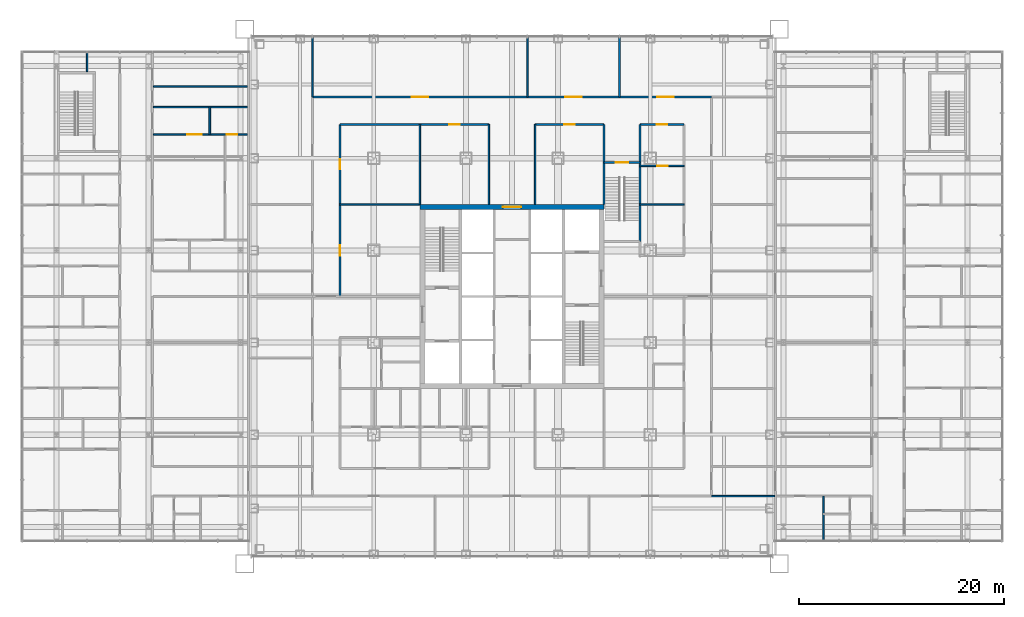
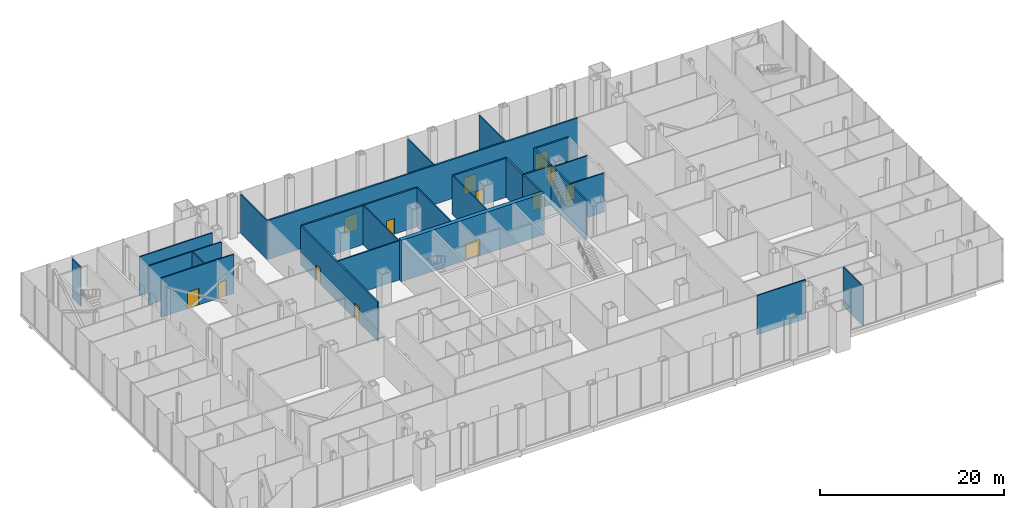
# One storey, part 16 of 25: 27 walls, 13 doors, 13 openings.
"""IFC4 building model written with IfcOpenShell, lengths in metres."""

from ifc_helpers import new_model, si_unit, direction, frame, frame_2d, origin, place, context, subcontext, project, spatial, rectangle, extrude, material, layer, layer_set, type_object, element, fill, save


model = new_model("IFC4")

# Units and contexts
model_context = context("Model", 3, precision=1e-05, world=origin(), true_north=direction((0.0, 1.0)))
body_context = subcontext(model_context, "Body", "Model", "MODEL_VIEW")
ifc_project = project(units=[si_unit("LENGTHUNIT", "METRE"), si_unit("AREAUNIT", "SQUARE_METRE"), si_unit("VOLUMEUNIT", "CUBIC_METRE"), si_unit("PLANEANGLEUNIT", "RADIAN"), si_unit("MASSUNIT", "GRAM", prefix="KILO")], contexts=[model_context])

# Site, building, storey
site_placement = place(None, origin())
site = spatial("IfcSite", under=ifc_project, at=site_placement, CompositionType="ELEMENT")
building_placement = place(site_placement, origin())
building = spatial("IfcBuilding", under=site, at=building_placement, Name="Malebo Sky Hospital", CompositionType="ELEMENT")
storey_placement = place(building_placement, frame((0.0, 0.0, 11.0)))
storey = spatial("IfcBuildingStorey", under=building, at=storey_placement, Name="L02", CompositionType="ELEMENT", Elevation=11.0)

# Wall, opening, door
ifc_material_1 = material(Name="Concrete C80/95", Category="concrete")
ifc_layer_1 = layer(ifc_material_1, 0.5)
ifc_layer_set_1 = layer_set([ifc_layer_1], Name="CORE WALL 500")
wall_type_1 = type_object("IfcWallType", Name="CORE WALL 500", PredefinedType="SHEAR", material=ifc_layer_set_1)
wall_1_placement = place(storey_placement, frame((51.0, 70.75, 0.0), z_axis=(0.0, 0.0, 1.0), x_axis=(1.0, 0.0, 0.0)))
wall_1 = element("IfcWall", 1, at=wall_1_placement, inside=storey, type_object=wall_type_1, Name="Core wall N L02", PredefinedType="SHEAR", context=body_context, shape_type="SweptSolid", body=[
    extrude(rectangle(XDim=18.0, YDim=0.5, at=frame_2d((9.0, 0.0))), origin(), (0.0, 0.0, 1.0), 5.5),
])
opening_1_placement = place(wall_1_placement, frame((8.10009765625, 0.0, 0.0)))
opening_1 = element("IfcOpeningElement", 2, at=opening_1_placement, cuts=wall_1, Name="Opening D06", PredefinedType="OPENING", context=body_context, shape_type="SweptSolid", body=[
    extrude(rectangle(XDim=1.800048828125, YDim=2.199951171875, at=frame_2d((0.89990234375, 1.10009765625))), frame((0.0, 0.260009765625, 0.0), z_axis=(0.0, -1.0, 0.0), x_axis=(1.0, 0.0, 0.0)), (0.0, 0.0, 1.0), 0.52001953125),
])
ifc_material_2 = material(Name="Hardwood-faced door leaf in steel frame", Category="steel")
door_type_1 = type_object("IfcDoorType", Name="LOBBY DOOR PAIR 1800", OperationType="DOUBLE_DOOR_SINGLE_SWING", PredefinedType="DOOR", material=ifc_material_2)
door_1_placement = place(opening_1_placement, origin())
door_1 = element("IfcDoor", 3, at=door_1_placement, inside=storey, type_object=door_type_1, Name="vending room door north", OperationType="DOUBLE_DOOR_SINGLE_SWING", OverallHeight=2.199951171875, OverallWidth=1.800048828125, PredefinedType="DOOR", context=body_context, shape_type="SweptSolid", body=[
    extrude(rectangle(XDim=1.800048828125, YDim=2.199951171875, at=frame_2d((0.89990234375, 1.10009765625))), frame((0.0, 0.02490234375, 0.0), z_axis=(0.0, -1.0, 0.0), x_axis=(1.0, 0.0, 0.0)), (0.0, 0.0, 1.0), 0.050048828125),
])
fill(opening_1, door_1)

# Wall, openings, doors
ifc_material_3 = material(Name="Gypsum board on steel studs", Category="steel")
ifc_layer_2 = layer(ifc_material_3, 0.199951171875)
ifc_layer_set_2 = layer_set([ifc_layer_2], Name="CORRIDOR WALL 200")
wall_type_2 = type_object("IfcWallType", Name="CORRIDOR WALL 200", PredefinedType="PARTITIONING", material=ifc_layer_set_2)
wall_2_placement = place(storey_placement, frame((40.5, 81.5, 0.0), z_axis=(0.0, 0.0, 1.0), x_axis=(1.0, 0.0, 0.0)))
wall_2 = element("IfcWall", 4, at=wall_2_placement, inside=storey, type_object=wall_type_2, Name="Corridor Wall 200 NCO", PredefinedType="PARTITIONING", context=body_context, shape_type="SweptSolid", body=[
    extrude(rectangle(XDim=39.0, YDim=0.199951171875, at=frame_2d((19.5, 0.0))), origin(), (0.0, 0.0, 1.0), 5.199951171875),
])
opening_2_placement = place(wall_2_placement, frame((9.699951171875, 0.0, 0.0)))
opening_2 = element("IfcOpeningElement", 5, at=opening_2_placement, cuts=wall_2, Name="Opening D14", PredefinedType="OPENING", context=body_context, shape_type="SweptSolid", body=[
    extrude(rectangle(XDim=1.60009765625, YDim=2.199951171875, at=frame_2d((0.800048828125, 1.10009765625))), frame((0.0, 0.10986328125, 0.0), z_axis=(0.0, -1.0, 0.0), x_axis=(1.0, 0.0, 0.0)), (0.0, 0.0, 1.0), 0.219970703125),
])
opening_3_placement = place(wall_2_placement, frame((24.699951171875, 0.0, 0.0)))
opening_3 = element("IfcOpeningElement", 6, at=opening_3_placement, cuts=wall_2, Name="Opening D14", PredefinedType="OPENING", context=body_context, shape_type="SweptSolid", body=[
    extrude(rectangle(XDim=1.60009765625, YDim=2.199951171875, at=frame_2d((0.800048828125, 1.10009765625))), frame((0.0, 0.10986328125, 0.0), z_axis=(0.0, -1.0, 0.0), x_axis=(1.0, 0.0, 0.0)), (0.0, 0.0, 1.0), 0.219970703125),
])
opening_4_placement = place(wall_2_placement, frame((33.699951171875, 0.0, 0.0)))
opening_4 = element("IfcOpeningElement", 7, at=opening_4_placement, cuts=wall_2, Name="Opening D14", PredefinedType="OPENING", context=body_context, shape_type="SweptSolid", body=[
    extrude(rectangle(XDim=1.60009765625, YDim=2.199951171875, at=frame_2d((0.800048828125, 1.10009765625))), frame((0.0, 0.10986328125, 0.0), z_axis=(0.0, -1.0, 0.0), x_axis=(1.0, 0.0, 0.0)), (0.0, 0.0, 1.0), 0.219970703125),
])
door_type_2 = type_object("IfcDoorType", Name="DEPARTMENT DOOR PAIR 1600", OperationType="DOUBLE_DOOR_DOUBLE_SWING", PredefinedType="DOOR", material=ifc_material_2)
door_2_placement = place(opening_2_placement, origin())
door_2 = element("IfcDoor", 8, at=door_2_placement, inside=storey, type_object=door_type_2, Name="Post-anaesthesia recovery ward door", OperationType="DOUBLE_DOOR_DOUBLE_SWING", OverallHeight=2.199951171875, OverallWidth=1.60009765625, PredefinedType="DOOR", context=body_context, shape_type="SweptSolid", body=[
    extrude(rectangle(XDim=1.60009765625, YDim=2.199951171875, at=frame_2d((0.800048828125, 1.10009765625))), frame((0.0, 0.02490234375, 0.0), z_axis=(0.0, -1.0, 0.0), x_axis=(1.0, 0.0, 0.0)), (0.0, 0.0, 1.0), 0.050048828125),
])
fill(opening_2, door_2)
door_3_placement = place(opening_3_placement, origin())
door_3 = element("IfcDoor", 9, at=door_3_placement, inside=storey, type_object=door_type_2, Name="Second-stage recovery ward door", OperationType="DOUBLE_DOOR_DOUBLE_SWING", OverallHeight=2.199951171875, OverallWidth=1.60009765625, PredefinedType="DOOR", context=body_context, shape_type="SweptSolid", body=[
    extrude(rectangle(XDim=1.60009765625, YDim=2.199951171875, at=frame_2d((0.800048828125, 1.10009765625))), frame((0.0, 0.02490234375, 0.0), z_axis=(0.0, -1.0, 0.0), x_axis=(1.0, 0.0, 0.0)), (0.0, 0.0, 1.0), 0.050048828125),
])
fill(opening_3, door_3)
door_4_placement = place(opening_4_placement, origin())
door_4 = element("IfcDoor", 10, at=door_4_placement, inside=storey, type_object=door_type_2, Name="Theatre sterile supply store door", OperationType="DOUBLE_DOOR_DOUBLE_SWING", OverallHeight=2.199951171875, OverallWidth=1.60009765625, PredefinedType="DOOR", context=body_context, shape_type="SweptSolid", body=[
    extrude(rectangle(XDim=1.60009765625, YDim=2.199951171875, at=frame_2d((0.800048828125, 1.10009765625))), frame((0.0, 0.02490234375, 0.0), z_axis=(0.0, -1.0, 0.0), x_axis=(1.0, 0.0, 0.0)), (0.0, 0.0, 1.0), 0.050048828125),
])
fill(opening_4, door_4)

# Wall, opening, door
wall_3_placement = place(storey_placement, frame((43.199951171875, 78.800048828125, 0.0), z_axis=(0.0, 0.0, 1.0), x_axis=(1.0, 0.0, 0.0)))
wall_3 = element("IfcWall", 11, at=wall_3_placement, inside=storey, type_object=wall_type_2, Name="Corridor Wall 200 NCI1", PredefinedType="PARTITIONING", context=body_context, shape_type="SweptSolid", body=[
    extrude(rectangle(XDim=14.550048828125, YDim=0.199951171875, at=frame_2d((7.27490234375, 0.0))), origin(), (0.0, 0.0, 1.0), 5.199951171875),
])
opening_5_placement = place(wall_3_placement, frame((10.675048828125, 0.0, 0.0)))
opening_5 = element("IfcOpeningElement", 12, at=opening_5_placement, cuts=wall_3, Name="Opening D03", PredefinedType="OPENING", context=body_context, shape_type="SweptSolid", body=[
    extrude(rectangle(XDim=1.0, YDim=2.10009765625, at=frame_2d((0.5, 1.050048828125))), frame((0.0, 0.10986328125, 0.0), z_axis=(0.0, -1.0, 0.0), x_axis=(1.0, 0.0, 0.0)), (0.0, 0.0, 1.0), 0.219970703125),
])
door_type_3 = type_object("IfcDoorType", Name="ROOM DOOR 1000", OperationType="SINGLE_SWING_LEFT", PredefinedType="DOOR", material=ifc_material_2)
door_5_placement = place(opening_5_placement, origin())
door_5 = element("IfcDoor", 13, at=door_5_placement, inside=storey, type_object=door_type_3, Name="Recovery staff base door", OperationType="SINGLE_SWING_LEFT", OverallHeight=2.10009765625, OverallWidth=1.0, PredefinedType="DOOR", context=body_context, shape_type="SweptSolid", body=[
    extrude(rectangle(XDim=1.0, YDim=2.10009765625, at=frame_2d((0.5, 1.050048828125))), frame((0.0, 0.02490234375, 0.0), z_axis=(0.0, -1.0, 0.0), x_axis=(1.0, 0.0, 0.0)), (0.0, 0.0, 1.0), 0.050048828125),
])
fill(opening_5, door_5)

wall_4_placement = place(storey_placement, frame((62.25, 78.800048828125, 0.0), z_axis=(0.0, 0.0, 1.0), x_axis=(1.0, 0.0, 0.0)))
wall_4 = element("IfcWall", 14, at=wall_4_placement, inside=storey, type_object=wall_type_2, Name="Corridor Wall 200 NCI2", PredefinedType="PARTITIONING", context=body_context, shape_type="SweptSolid", body=[
    extrude(rectangle(XDim=6.75, YDim=0.199951171875, at=frame_2d((3.375, 0.0))), origin(), (0.0, 0.0, 1.0), 5.199951171875),
])
opening_6_placement = place(wall_4_placement, frame((2.875, 0.0, 0.0)))
opening_6 = element("IfcOpeningElement", 15, at=opening_6_placement, cuts=wall_4, Name="Opening D03", PredefinedType="OPENING", context=body_context, shape_type="SweptSolid", body=[
    extrude(rectangle(XDim=1.0, YDim=2.10009765625, at=frame_2d((0.5, 1.050048828125))), frame((0.0, 0.10986328125, 0.0), z_axis=(0.0, -1.0, 0.0), x_axis=(1.0, 0.0, 0.0)), (0.0, 0.0, 1.0), 0.219970703125),
])
door_6_placement = place(opening_6_placement, origin())
door_6 = element("IfcDoor", 16, at=door_6_placement, inside=storey, type_object=door_type_3, Name="Sterile supply store door", OperationType="SINGLE_SWING_RIGHT", OverallHeight=2.10009765625, OverallWidth=1.0, PredefinedType="DOOR", context=body_context, shape_type="SweptSolid", body=[
    extrude(rectangle(XDim=1.0, YDim=2.10009765625, at=frame_2d((0.5, 1.050048828125))), frame((0.0, 0.02490234375, 0.0), z_axis=(0.0, -1.0, 0.0), x_axis=(1.0, 0.0, 0.0)), (0.0, 0.0, 1.0), 0.050048828125),
])
fill(opening_6, door_6)

wall_5_placement = place(storey_placement, frame((72.5, 78.800048828125, 0.0), z_axis=(0.0, 0.0, 1.0), x_axis=(1.0, 0.0, 0.0)))
wall_5 = element("IfcWall", 17, at=wall_5_placement, inside=storey, type_object=wall_type_2, Name="Corridor Wall 200 NCI2/2", PredefinedType="PARTITIONING", context=body_context, shape_type="SweptSolid", body=[
    extrude(rectangle(XDim=4.300048828125, YDim=0.199951171875, at=frame_2d((2.14990234375, 0.0))), origin(), (0.0, 0.0, 1.0), 5.199951171875),
])
opening_7_placement = place(wall_5_placement, frame((1.64990234375, 0.0, 0.0)))
opening_7 = element("IfcOpeningElement", 18, at=opening_7_placement, cuts=wall_5, Name="Opening D03", PredefinedType="OPENING", context=body_context, shape_type="SweptSolid", body=[
    extrude(rectangle(XDim=1.0, YDim=2.10009765625, at=frame_2d((0.5, 1.050048828125))), frame((0.0, 0.10986328125, 0.0), z_axis=(0.0, -1.0, 0.0), x_axis=(1.0, 0.0, 0.0)), (0.0, 0.0, 1.0), 0.219970703125),
])
door_7_placement = place(opening_7_placement, origin())
door_7 = element("IfcDoor", 19, at=door_7_placement, inside=storey, type_object=door_type_3, Name="Patient WC vestibule door", OperationType="SINGLE_SWING_LEFT", OverallHeight=2.10009765625, OverallWidth=1.0, PredefinedType="DOOR", context=body_context, shape_type="SweptSolid", body=[
    extrude(rectangle(XDim=1.0, YDim=2.10009765625, at=frame_2d((0.5, 1.050048828125))), frame((0.0, 0.02490234375, 0.0), z_axis=(0.0, -1.0, 0.0), x_axis=(1.0, 0.0, 0.0)), (0.0, 0.0, 1.0), 0.050048828125),
])
fill(opening_7, door_7)

# Wall, openings, doors
wall_6_placement = place(storey_placement, frame((43.199951171875, 62.0, 0.0), z_axis=(0.0, 0.0, 1.0), x_axis=(0.0, 1.0, 0.0)))
wall_6 = element("IfcWall", 20, at=wall_6_placement, inside=storey, type_object=wall_type_2, Name="Corridor Wall 200 WCI2", PredefinedType="PARTITIONING", context=body_context, shape_type="SweptSolid", body=[
    extrude(rectangle(XDim=16.800048828125, YDim=0.199951171875, at=frame_2d((8.39990234375, 0.0))), origin(), (0.0, 0.0, 1.0), 5.199951171875),
])
opening_8_placement = place(wall_6_placement, frame((4.0, 0.0, 0.0)))
opening_8 = element("IfcOpeningElement", 21, at=opening_8_placement, cuts=wall_6, Name="Opening D03", PredefinedType="OPENING", context=body_context, shape_type="SweptSolid", body=[
    extrude(rectangle(XDim=1.0, YDim=2.10009765625, at=frame_2d((0.5, 1.050048828125))), frame((0.0, 0.10986328125, 0.0), z_axis=(0.0, -1.0, 0.0), x_axis=(1.0, 0.0, 0.0)), (0.0, 0.0, 1.0), 0.219970703125),
])
opening_9_placement = place(wall_6_placement, frame((12.39990234375, 0.0, 0.0)))
opening_9 = element("IfcOpeningElement", 22, at=opening_9_placement, cuts=wall_6, Name="Opening D03", PredefinedType="OPENING", context=body_context, shape_type="SweptSolid", body=[
    extrude(rectangle(XDim=1.0, YDim=2.10009765625, at=frame_2d((0.5, 1.050048828125))), frame((0.0, 0.10986328125, 0.0), z_axis=(0.0, -1.0, 0.0), x_axis=(1.0, 0.0, 0.0)), (0.0, 0.0, 1.0), 0.219970703125),
])
door_8_placement = place(opening_8_placement, origin())
door_8 = element("IfcDoor", 23, at=door_8_placement, inside=storey, type_object=door_type_3, Name="Theatre store door", OperationType="SINGLE_SWING_LEFT", OverallHeight=2.10009765625, OverallWidth=1.0, PredefinedType="DOOR", context=body_context, shape_type="SweptSolid", body=[
    extrude(rectangle(XDim=1.0, YDim=2.10009765625, at=frame_2d((0.5, 1.050048828125))), frame((0.0, 0.02490234375, 0.0), z_axis=(0.0, -1.0, 0.0), x_axis=(1.0, 0.0, 0.0)), (0.0, 0.0, 1.0), 0.050048828125),
])
fill(opening_8, door_8)
door_9_placement = place(opening_9_placement, origin())
door_9 = element("IfcDoor", 24, at=door_9_placement, inside=storey, type_object=door_type_3, Name="Medication room door", OperationType="SINGLE_SWING_RIGHT", OverallHeight=2.10009765625, OverallWidth=1.0, PredefinedType="DOOR", context=body_context, shape_type="SweptSolid", body=[
    extrude(rectangle(XDim=1.0, YDim=2.10009765625, at=frame_2d((0.5, 1.050048828125))), frame((0.0, 0.02490234375, 0.0), z_axis=(0.0, -1.0, 0.0), x_axis=(1.0, 0.0, 0.0)), (0.0, 0.0, 1.0), 0.050048828125),
])
fill(opening_9, door_9)

# Walls
for number, where, z_axis, x_axis, name in (
    (25, (69.0, 75.10009765625, 0.0), (0.0, 0.0, 1.0), (0.0, 1.0, 0.0), "Corridor Wall 200 ST3AW"),
    (26, (72.5, 75.10009765625, 0.0), (0.0, 0.0, 1.0), (0.0, 1.0, 0.0), "Corridor Wall 200 ST3AE"),
):
    element("IfcWall", number, at=place(storey_placement, frame(where, z_axis=z_axis, x_axis=x_axis)), inside=storey, type_object=wall_type_2, Name=name, PredefinedType="PARTITIONING", context=body_context, shape_type="SweptSolid", body=[
        extrude(rectangle(XDim=3.699951171875, YDim=0.199951171875, at=frame_2d((1.85009765625, 0.0))), origin(), (0.0, 0.0, 1.0), 5.199951171875),
    ])
ifc_layer_3 = layer(ifc_material_3, 0.14990234375)
ifc_layer_set_3 = layer_set([ifc_layer_3], Name="PARTITION 150")
wall_type_3 = type_object("IfcWallType", Name="PARTITION 150", PredefinedType="PARTITIONING", material=ifc_layer_set_3)
for number, where, z_axis, x_axis, name in (
    (27, (40.5, 81.5, 0.0), (0.0, 0.0, 1.0), (0.0, 1.0, 0.0), "Partition 150 NP-19.5"),
    (28, (61.5, 81.5, 0.0), (0.0, 0.0, 1.0), (0.0, 1.0, 0.0), "Partition 150 NP+1.5"),
    (29, (70.5, 81.5, 0.0), (0.0, 0.0, 1.0), (0.0, 1.0, 0.0), "Partition 150 NP+10.5"),
):
    element("IfcWall", number, at=place(storey_placement, frame(where, z_axis=z_axis, x_axis=x_axis)), inside=storey, type_object=wall_type_3, Name=name, PredefinedType="PARTITIONING", context=body_context, shape_type="SweptSolid", body=[
        extrude(rectangle(XDim=5.75, YDim=0.14990234375, at=frame_2d((2.875, 0.0))), origin(), (0.0, 0.0, 1.0), 5.199951171875),
    ])
for number, where, z_axis, x_axis, name in (
    (30, (51.0, 71.0, 0.0), (0.0, 0.0, 1.0), (0.0, 1.0, 0.0), "Partition 150 NSPM"),
    (31, (57.75, 71.0, 0.0), (0.0, 0.0, 1.0), (0.0, 1.0, 0.0), "Partition 150 NSPA"),
    (32, (62.25, 71.0, 0.0), (0.0, 0.0, 1.0), (0.0, 1.0, 0.0), "Partition 150 NSPB"),
):
    element("IfcWall", number, at=place(storey_placement, frame(where, z_axis=z_axis, x_axis=x_axis)), inside=storey, type_object=wall_type_3, Name=name, PredefinedType="PARTITIONING", context=body_context, shape_type="SweptSolid", body=[
        extrude(rectangle(XDim=7.800048828125, YDim=0.14990234375, at=frame_2d((3.89990234375, 0.0))), origin(), (0.0, 0.0, 1.0), 5.199951171875),
    ])

# Wall, opening, door
wall_7_placement = place(storey_placement, frame((72.5, 74.75, 0.0), z_axis=(0.0, 0.0, 1.0), x_axis=(1.0, 0.0, 0.0)))
wall_7 = element("IfcWall", 33, at=wall_7_placement, inside=storey, type_object=wall_type_3, Name="Partition 150 NS2F", PredefinedType="PARTITIONING", context=body_context, shape_type="SweptSolid", body=[
    extrude(rectangle(XDim=4.300048828125, YDim=0.14990234375, at=frame_2d((2.14990234375, 0.0))), origin(), (0.0, 0.0, 1.0), 5.199951171875),
])
opening_10_placement = place(wall_7_placement, frame((1.699951171875, 0.0, 0.0)))
opening_10 = element("IfcOpeningElement", 34, at=opening_10_placement, cuts=wall_7, Name="Opening D03", PredefinedType="OPENING", context=body_context, shape_type="SweptSolid", body=[
    extrude(rectangle(XDim=1.0, YDim=2.10009765625, at=frame_2d((0.5, 1.050048828125))), frame((0.0, 0.0849609375, 0.0), z_axis=(0.0, -1.0, 0.0), x_axis=(1.0, 0.0, 0.0)), (0.0, 0.0, 1.0), 0.169921875),
])
door_10_placement = place(opening_10_placement, origin())
door_10 = element("IfcDoor", 35, at=door_10_placement, inside=storey, type_object=door_type_3, Name="Accessible WC door", OperationType="SINGLE_SWING_RIGHT", OverallHeight=2.10009765625, OverallWidth=1.0, PredefinedType="DOOR", context=body_context, shape_type="SweptSolid", body=[
    extrude(rectangle(XDim=1.0, YDim=2.10009765625, at=frame_2d((0.5, 1.050048828125))), frame((0.0, 0.02490234375, 0.0), z_axis=(0.0, -1.0, 0.0), x_axis=(1.0, 0.0, 0.0)), (0.0, 0.0, 1.0), 0.050048828125),
])
fill(opening_10, door_10)

# Walls
wall_8_placement = place(storey_placement, frame((51.0, 71.0, 0.0), z_axis=(0.0, 0.0, 1.0), x_axis=(-1.0, 0.0, 0.0)))
element("IfcWall", 36, at=wall_8_placement, inside=storey, type_object=wall_type_3, Name="Partition 150 WSP9", PredefinedType="PARTITIONING", context=body_context, shape_type="SweptSolid", body=[
    extrude(rectangle(XDim=7.800048828125, YDim=0.14990234375, at=frame_2d((3.89990234375, 0.0))), origin(), (0.0, 0.0, 1.0), 5.199951171875),
])
wall_9_placement = place(storey_placement, frame((79.5, 42.5, 0.0), z_axis=(0.0, 0.0, 1.0), x_axis=(1.0, 0.0, 0.0)))
element("IfcWall", 37, at=wall_9_placement, inside=storey, type_object=wall_type_3, Name="Partition 150 EP+19.5", PredefinedType="PARTITIONING", context=body_context, shape_type="SweptSolid", body=[
    extrude(rectangle(XDim=6.14990234375, YDim=0.14990234375, at=frame_2d((3.074951171875, 0.0))), origin(), (0.0, 0.0, 1.0), 5.199951171875),
])
wall_10_placement = place(storey_placement, frame((72.5, 71.0, 0.0), z_axis=(0.0, 0.0, 1.0), x_axis=(1.0, 0.0, 0.0)))
element("IfcWall", 38, at=wall_10_placement, inside=storey, type_object=wall_type_3, Name="Partition 150 ESPM", PredefinedType="PARTITIONING", context=body_context, shape_type="SweptSolid", body=[
    extrude(rectangle(XDim=4.300048828125, YDim=0.14990234375, at=frame_2d((2.14990234375, 0.0))), origin(), (0.0, 0.0, 1.0), 5.199951171875),
])
wall_11_placement = place(storey_placement, frame((18.50390625, 83.949951171875, 0.0), z_axis=(0.0, 0.0, 1.0), x_axis=(0.0, 1.0, 0.0)))
element("IfcWall", 39, at=wall_11_placement, inside=storey, type_object=wall_type_3, Name="Partition 150 WLW", PredefinedType="PARTITIONING", context=body_context, shape_type="SweptSolid", body=[
    extrude(rectangle(XDim=1.900146484375, YDim=0.14990234375, at=frame_2d((0.9501953125, 0.0))), origin(), (0.0, 0.0, 1.0), 5.199951171875),
])

# Wall, openings, doors
wall_12_placement = place(storey_placement, frame((24.98193359375, 77.800048828125, 0.0), z_axis=(0.0, 0.0, 1.0), x_axis=(1.0, 0.0, 0.0)))
wall_12 = element("IfcWall", 40, at=wall_12_placement, inside=storey, type_object=wall_type_3, Name="Partition 150 WIH08", PredefinedType="PARTITIONING", context=body_context, shape_type="SweptSolid", body=[
    extrude(rectangle(XDim=9.16796875, YDim=0.14990234375, at=frame_2d((4.583984375, 0.0))), origin(), (0.0, 0.0, 1.0), 5.199951171875),
])
opening_11_placement = place(wall_12_placement, frame((3.318115234375, 0.0, 0.0)))
opening_11 = element("IfcOpeningElement", 41, at=opening_11_placement, cuts=wall_12, Name="Opening D25", PredefinedType="OPENING", context=body_context, shape_type="SweptSolid", body=[
    extrude(rectangle(XDim=1.39990234375, YDim=2.199951171875, at=frame_2d((0.699951171875, 1.10009765625))), frame((0.0, 0.0849609375, 0.0), z_axis=(0.0, -1.0, 0.0), x_axis=(1.0, 0.0, 0.0)), (0.0, 0.0, 1.0), 0.169921875),
])
opening_12_placement = place(wall_12_placement, frame((7.18408203125, 0.0, 0.0)))
opening_12 = element("IfcOpeningElement", 42, at=opening_12_placement, cuts=wall_12, Name="Opening D03", PredefinedType="OPENING", context=body_context, shape_type="SweptSolid", body=[
    extrude(rectangle(XDim=1.0, YDim=2.10009765625, at=frame_2d((0.5, 1.050048828125))), frame((0.0, 0.0849609375, 0.0), z_axis=(0.0, -1.0, 0.0), x_axis=(1.0, 0.0, 0.0)), (0.0, 0.0, 1.0), 0.169921875),
])
door_type_4 = type_object("IfcDoorType", Name="BED DOOR PAIR 1400", OperationType="DOUBLE_DOOR_SINGLE_SWING", PredefinedType="DOOR", material=ifc_material_2)
door_11_placement = place(opening_11_placement, origin())
door_11 = element("IfcDoor", 43, at=door_11_placement, inside=storey, type_object=door_type_4, Name="Anaesthetic room inner door", OperationType="DOUBLE_DOOR_SINGLE_SWING", OverallHeight=2.199951171875, OverallWidth=1.39990234375, PredefinedType="DOOR", context=body_context, shape_type="SweptSolid", body=[
    extrude(rectangle(XDim=1.39990234375, YDim=2.199951171875, at=frame_2d((0.699951171875, 1.10009765625))), frame((0.0, 0.02490234375, 0.0), z_axis=(0.0, -1.0, 0.0), x_axis=(1.0, 0.0, 0.0)), (0.0, 0.0, 1.0), 0.050048828125),
])
fill(opening_11, door_11)
door_12_placement = place(opening_12_placement, origin())
door_12 = element("IfcDoor", 44, at=door_12_placement, inside=storey, type_object=door_type_3, Name="Dirty utility room inner door", OperationType="SINGLE_SWING_LEFT", OverallHeight=2.10009765625, OverallWidth=1.0, PredefinedType="DOOR", context=body_context, shape_type="SweptSolid", body=[
    extrude(rectangle(XDim=1.0, YDim=2.10009765625, at=frame_2d((0.5, 1.050048828125))), frame((0.0, 0.02490234375, 0.0), z_axis=(0.0, -1.0, 0.0), x_axis=(1.0, 0.0, 0.0)), (0.0, 0.0, 1.0), 0.050048828125),
])
fill(opening_12, door_12)

# Walls
for number, where, z_axis, x_axis, name in (
    (45, (24.98193359375, 80.5, 0.0), (0.0, 0.0, 1.0), (1.0, 0.0, 0.0), "Partition 150 WIH09"),
    (46, (24.98193359375, 82.5, 0.0), (0.0, 0.0, 1.0), (1.0, 0.0, 0.0), "Partition 150 WIH10"),
):
    element("IfcWall", number, at=place(storey_placement, frame(where, z_axis=z_axis, x_axis=x_axis)), inside=storey, type_object=wall_type_3, Name=name, PredefinedType="PARTITIONING", context=body_context, shape_type="SweptSolid", body=[
        extrude(rectangle(XDim=9.16796875, YDim=0.14990234375, at=frame_2d((4.583984375, 0.0))), origin(), (0.0, 0.0, 1.0), 5.199951171875),
    ])
wall_13_placement = place(storey_placement, frame((30.48193359375, 77.800048828125, 0.0), z_axis=(0.0, 0.0, 1.0), x_axis=(0.0, 1.0, 0.0)))
element("IfcWall", 47, at=wall_13_placement, inside=storey, type_object=wall_type_3, Name="Partition 150 WIV14", PredefinedType="PARTITIONING", context=body_context, shape_type="SweptSolid", body=[
    extrude(rectangle(XDim=2.699951171875, YDim=0.14990234375, at=frame_2d((1.35009765625, 0.0))), origin(), (0.0, 0.0, 1.0), 5.199951171875),
])
wall_14_placement = place(storey_placement, frame((90.41796875, 38.14990234375, 0.0), z_axis=(0.0, 0.0, 1.0), x_axis=(0.0, 1.0, 0.0)))
element("IfcWall", 48, at=wall_14_placement, inside=storey, type_object=wall_type_3, Name="Partition 150 EIV12", PredefinedType="PARTITIONING", context=body_context, shape_type="SweptSolid", body=[
    extrude(rectangle(XDim=4.35009765625, YDim=0.14990234375, at=frame_2d((2.175048828125, 0.0))), origin(), (0.0, 0.0, 1.0), 5.199951171875),
])
ifc_material_4 = material(Name="Concrete C40/50", Category="concrete")
ifc_layer_4 = layer(ifc_material_4, 0.199951171875)
ifc_layer_set_4 = layer_set([ifc_layer_4], Name="STAIR ENCLOSURE WALL 200")
wall_type_4 = type_object("IfcWallType", Name="STAIR ENCLOSURE WALL 200", PredefinedType="SOLIDWALL", material=ifc_layer_set_4)
wall_15_placement = place(storey_placement, frame((69.0, 71.0, 0.0), z_axis=(0.0, 0.0, 1.0), x_axis=(0.0, 1.0, 0.0)))
element("IfcWall", 49, at=wall_15_placement, inside=storey, type_object=wall_type_4, Name="Stair Enclosure Wall 200 ST3W", PredefinedType="SOLIDWALL", context=body_context, shape_type="SweptSolid", body=[
    extrude(rectangle(XDim=4.10009765625, YDim=0.199951171875, at=frame_2d((2.050048828125, 0.0))), origin(), (0.0, 0.0, 1.0), 5.199951171875),
])
wall_16_placement = place(storey_placement, frame((72.5, 67.35009765625, 0.0), z_axis=(0.0, 0.0, 1.0), x_axis=(0.0, 1.0, 0.0)))
element("IfcWall", 50, at=wall_16_placement, inside=storey, type_object=wall_type_4, Name="Stair Enclosure Wall 200 ST3E", PredefinedType="SOLIDWALL", context=body_context, shape_type="SweptSolid", body=[
    extrude(rectangle(XDim=7.75, YDim=0.199951171875, at=frame_2d((3.875, 0.0))), origin(), (0.0, 0.0, 1.0), 5.199951171875),
])

# Wall, opening, door
wall_17_placement = place(storey_placement, frame((69.0, 75.10009765625, 0.0), z_axis=(0.0, 0.0, 1.0), x_axis=(1.0, 0.0, 0.0)))
wall_17 = element("IfcWall", 51, at=wall_17_placement, inside=storey, type_object=wall_type_4, Name="Stair Enclosure Wall 200 ST3N", PredefinedType="SOLIDWALL", context=body_context, shape_type="SweptSolid", body=[
    extrude(rectangle(XDim=3.5, YDim=0.199951171875, at=frame_2d((1.75, 0.0))), origin(), (0.0, 0.0, 1.0), 5.199951171875),
])
opening_13_placement = place(wall_17_placement, frame((1.14990234375, 0.0, 0.0)))
opening_13 = element("IfcOpeningElement", 52, at=opening_13_placement, cuts=wall_17, Name="Opening D08", PredefinedType="OPENING", context=body_context, shape_type="SweptSolid", body=[
    extrude(rectangle(XDim=1.199951171875, YDim=2.10009765625, at=frame_2d((0.60009765625, 1.050048828125))), frame((0.0, 0.10986328125, 0.0), z_axis=(0.0, -1.0, 0.0), x_axis=(1.0, 0.0, 0.0)), (0.0, 0.0, 1.0), 0.219970703125),
])
door_type_5 = type_object("IfcDoorType", Name="STAIR DOOR 1200", OperationType="SINGLE_SWING_LEFT", PredefinedType="DOOR", material=ifc_material_2)
door_13_placement = place(opening_13_placement, origin())
door_13 = element("IfcDoor", 53, at=door_13_placement, inside=storey, type_object=door_type_5, Name="Stair S3 door", OperationType="SINGLE_SWING_LEFT", OverallHeight=2.10009765625, OverallWidth=1.199951171875, PredefinedType="DOOR", context=body_context, shape_type="SweptSolid", body=[
    extrude(rectangle(XDim=1.199951171875, YDim=2.10009765625, at=frame_2d((0.60009765625, 1.050048828125))), frame((0.0, 0.02490234375, 0.0), z_axis=(0.0, -1.0, 0.0), x_axis=(1.0, 0.0, 0.0)), (0.0, 0.0, 1.0), 0.050048828125),
])
fill(opening_13, door_13)

save(model, "model.ifc")
